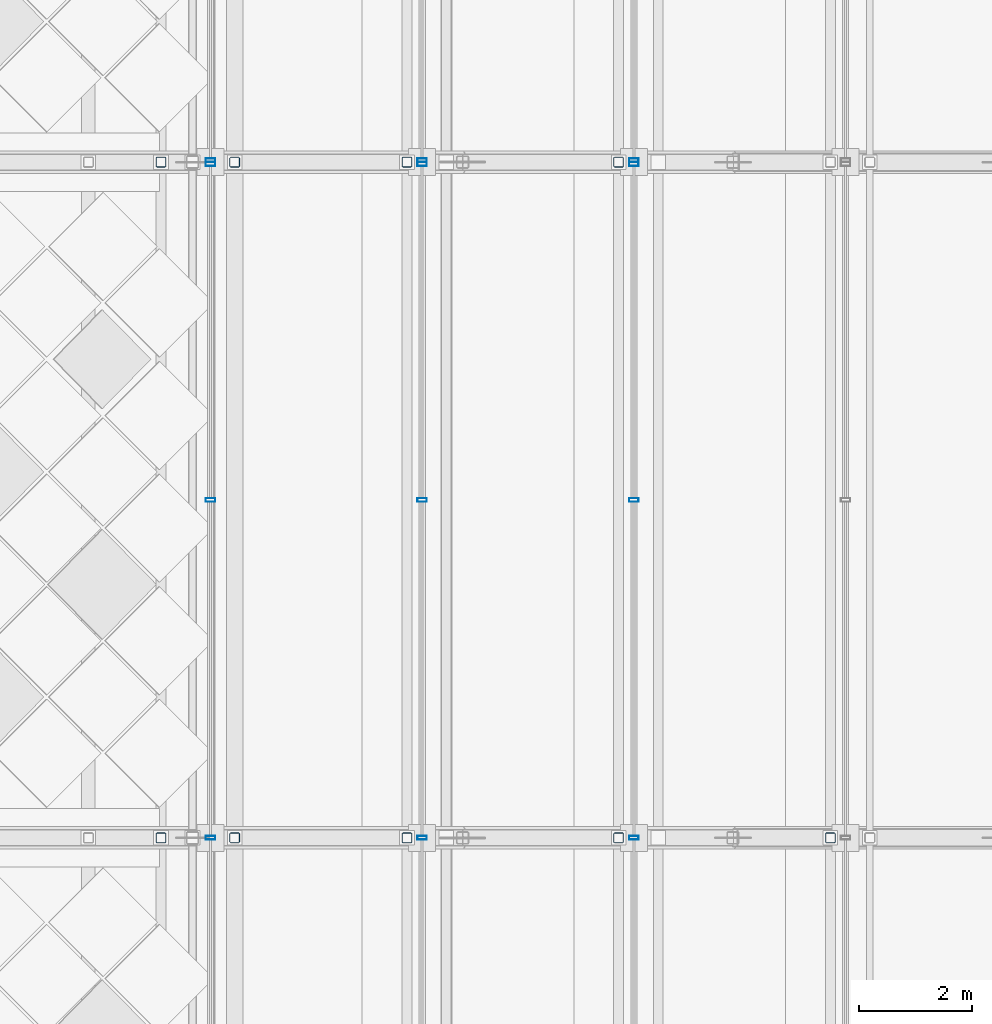
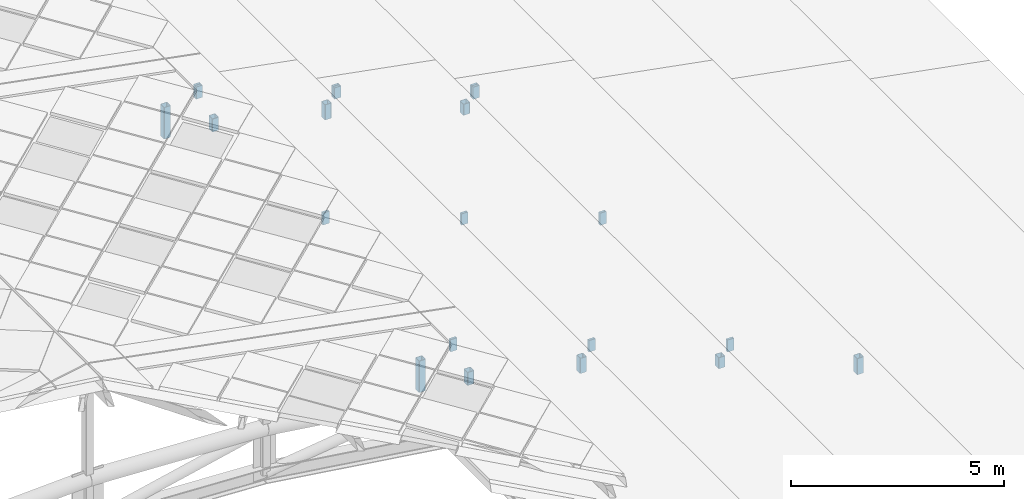
# One storey, part 63 of 117: 21 members, 6 elements without a shape of their own.
"""IFC4 building model written with IfcOpenShell, lengths in metres."""

from ifc_helpers import new_model, si_unit, direction, frame, origin, origin_2d, place, context, subcontext, project, spatial, hollow_rectangle, extrude, material, material_profile, profile_set, type_object, element, aggregate, save


model = new_model("IFC4")

# Units and contexts
model_context = context("Model", 3, precision=1e-05, world=origin(), true_north=direction((0.0, 1.0)))
body_context = subcontext(model_context, "Body", "Model", "MODEL_VIEW")
ifc_project = project(units=[si_unit("LENGTHUNIT", "METRE"), si_unit("AREAUNIT", "SQUARE_METRE"), si_unit("VOLUMEUNIT", "CUBIC_METRE"), si_unit("PLANEANGLEUNIT", "RADIAN"), si_unit("MASSUNIT", "GRAM", prefix="KILO")], contexts=[model_context])

# Site, building, storey
site_placement = place(None, origin())
site = spatial("IfcSite", under=ifc_project, at=site_placement, CompositionType="ELEMENT")
building_placement = place(site_placement, origin())
building = spatial("IfcBuilding", under=site, at=building_placement, Name="Merenkruunu Market Hall", CompositionType="ELEMENT")
storey_placement = place(building_placement, frame((0.0, 0.0, 22.800048828125)))
storey = spatial("IfcBuildingStorey", under=building, at=storey_placement, Name="RF", CompositionType="ELEMENT", Elevation=22.800048828125)

# Curtain wall, members
ifc_material_1 = material(Name="Powder-coated aluminium", Category="aluminium")
curtain_wall_type = type_object("IfcCurtainWallType", Name="Clerestory Curtain Band CL05", PredefinedType="USERDEFINED", material=ifc_material_1)
curtain_wall_1_placement = place(storey_placement, origin())
curtain_wall_1 = element("IfcCurtainWall", 1, at=curtain_wall_1_placement, inside=storey, type_object=curtain_wall_type, Name="CW-RF-CWM04-100", ObjectType="CLERESTORY_BAND", PredefinedType="USERDEFINED")
ifc_material_profile_1 = material_profile(ifc_material_1, hollow_rectangle(XDim=0.070068359375, YDim=0.169921875, WallThickness=0.0048828125, at=origin_2d()), Name="ALU 70x170x5")
ifc_profile_set_1 = profile_set([ifc_material_profile_1], Name="Powder-coated aluminium")
member_type_1 = type_object("IfcMemberType", Name="Curtain Wall Mullion CWM04", PredefinedType="MULLION", material=ifc_profile_set_1)
member_1_placement = place(storey_placement, frame((46.239990234375, 63.56494140625, -3.882080078125), z_axis=(0.0, 0.0, 1.0), x_axis=(0.0, -1.0, 0.0)))
member_1 = element("IfcMember", 2, at=member_1_placement, type_object=member_type_1, Name="CL05 mullion 1", PredefinedType="MULLION", context=body_context, shape_type="SweptSolid", body=[
    extrude(hollow_rectangle(XDim=0.070068359375, YDim=0.169921875, WallThickness=0.0048828125, at=origin_2d()), origin(), (0.0, 0.0, 1.0), 0.34814453125),
])
member_2_placement = place(storey_placement, frame((46.239990234375, 57.60009765625, -3.882080078125), z_axis=(0.0, 0.0, 1.0), x_axis=(0.0, -1.0, 0.0)))
member_2 = element("IfcMember", 3, at=member_2_placement, type_object=member_type_1, Name="CL05 mullion 2", PredefinedType="MULLION", context=body_context, shape_type="SweptSolid", body=[
    extrude(hollow_rectangle(XDim=0.070068359375, YDim=0.169921875, WallThickness=0.0048828125, at=origin_2d()), origin(), (0.0, 0.0, 1.0), 0.34814453125),
])
member_3_placement = place(storey_placement, frame((46.239990234375, 51.60009765625, -3.882080078125), z_axis=(0.0, 0.0, 1.0), x_axis=(0.0, -1.0, 0.0)))
member_3 = element("IfcMember", 4, at=member_3_placement, type_object=member_type_1, Name="CL05 mullion 3", PredefinedType="MULLION", context=body_context, shape_type="SweptSolid", body=[
    extrude(hollow_rectangle(XDim=0.070068359375, YDim=0.169921875, WallThickness=0.0048828125, at=origin_2d()), origin(), (0.0, 0.0, 1.0), 0.34814453125),
])
aggregate(curtain_wall_1, [member_1, member_2, member_3])

# Curtain wall, member
curtain_wall_2_placement = place(storey_placement, origin())
curtain_wall_2 = element("IfcCurtainWall", 5, at=curtain_wall_2_placement, inside=storey, type_object=curtain_wall_type, Name="CW-RF-CWM04-102", ObjectType="CLERESTORY_BAND", PredefinedType="USERDEFINED")
member_4_placement = place(storey_placement, frame((46.239990234375, 63.635009765625, -3.882080078125), z_axis=(0.0, 0.0, 1.0), x_axis=(0.0, -1.0, 0.0)))
member_4 = element("IfcMember", 6, at=member_4_placement, type_object=member_type_1, Name="CL05 mullion 5", PredefinedType="MULLION", context=body_context, shape_type="SweptSolid", body=[
    extrude(hollow_rectangle(XDim=0.070068359375, YDim=0.169921875, WallThickness=0.0048828125, at=origin_2d()), origin(), (0.0, 0.0, 1.0), 0.34814453125),
])
aggregate(curtain_wall_2, [member_4])

# Curtain wall, members
curtain_wall_3_placement = place(storey_placement, origin())
curtain_wall_3 = element("IfcCurtainWall", 7, at=curtain_wall_3_placement, inside=storey, type_object=curtain_wall_type, Name="CW-RF-CWM04-108", ObjectType="CLERESTORY_BAND", PredefinedType="USERDEFINED")
member_5_placement = place(storey_placement, frame((42.47998046875, 63.56494140625, -2.56201171875), z_axis=(0.0, 0.0, 1.0), x_axis=(0.0, -1.0, 0.0)))
member_5 = element("IfcMember", 8, at=member_5_placement, type_object=member_type_1, Name="CL05 mullion 1", PredefinedType="MULLION", context=body_context, shape_type="SweptSolid", body=[
    extrude(hollow_rectangle(XDim=0.070068359375, YDim=0.169921875, WallThickness=0.0048828125, at=origin_2d()), origin(), (0.0, 0.0, 1.0), 0.326904296875),
])
member_6_placement = place(storey_placement, frame((42.47998046875, 57.60009765625, -2.56201171875), z_axis=(0.0, 0.0, 1.0), x_axis=(0.0, -1.0, 0.0)))
member_6 = element("IfcMember", 9, at=member_6_placement, type_object=member_type_1, Name="CL05 mullion 2", PredefinedType="MULLION", context=body_context, shape_type="SweptSolid", body=[
    extrude(hollow_rectangle(XDim=0.070068359375, YDim=0.169921875, WallThickness=0.0048828125, at=origin_2d()), origin(), (0.0, 0.0, 1.0), 0.326904296875),
])
member_7_placement = place(storey_placement, frame((42.47998046875, 51.60009765625, -2.56201171875), z_axis=(0.0, 0.0, 1.0), x_axis=(0.0, -1.0, 0.0)))
member_7 = element("IfcMember", 10, at=member_7_placement, type_object=member_type_1, Name="CL05 mullion 3", PredefinedType="MULLION", context=body_context, shape_type="SweptSolid", body=[
    extrude(hollow_rectangle(XDim=0.070068359375, YDim=0.169921875, WallThickness=0.0048828125, at=origin_2d()), origin(), (0.0, 0.0, 1.0), 0.326904296875),
])
aggregate(curtain_wall_3, [member_5, member_6, member_7])

# Curtain wall, member
curtain_wall_4_placement = place(storey_placement, origin())
curtain_wall_4 = element("IfcCurtainWall", 11, at=curtain_wall_4_placement, inside=storey, type_object=curtain_wall_type, Name="CW-RF-CWM04-110", ObjectType="CLERESTORY_BAND", PredefinedType="USERDEFINED")
member_8_placement = place(storey_placement, frame((42.47998046875, 63.635009765625, -2.56201171875), z_axis=(0.0, 0.0, 1.0), x_axis=(0.0, -1.0, 0.0)))
member_8 = element("IfcMember", 12, at=member_8_placement, type_object=member_type_1, Name="CL05 mullion 5", PredefinedType="MULLION", context=body_context, shape_type="SweptSolid", body=[
    extrude(hollow_rectangle(XDim=0.070068359375, YDim=0.169921875, WallThickness=0.0048828125, at=origin_2d()), origin(), (0.0, 0.0, 1.0), 0.326904296875),
])
aggregate(curtain_wall_4, [member_8])

# Curtain wall, members
curtain_wall_5_placement = place(storey_placement, origin())
curtain_wall_5 = element("IfcCurtainWall", 13, at=curtain_wall_5_placement, inside=storey, type_object=curtain_wall_type, Name="CW-RF-CWM04-116", ObjectType="CLERESTORY_BAND", PredefinedType="USERDEFINED")
member_9_placement = place(storey_placement, frame((38.719970703125, 63.56494140625, -1.241943359375), z_axis=(0.0, 0.0, 1.0), x_axis=(0.0, -1.0, 0.0)))
member_9 = element("IfcMember", 14, at=member_9_placement, type_object=member_type_1, Name="CL05 mullion 1", PredefinedType="MULLION", context=body_context, shape_type="SweptSolid", body=[
    extrude(hollow_rectangle(XDim=0.070068359375, YDim=0.169921875, WallThickness=0.0048828125, at=origin_2d()), origin(), (0.0, 0.0, 1.0), 0.347900390625),
])
member_10_placement = place(storey_placement, frame((38.719970703125, 57.60009765625, -1.241943359375), z_axis=(0.0, 0.0, 1.0), x_axis=(0.0, -1.0, 0.0)))
member_10 = element("IfcMember", 15, at=member_10_placement, type_object=member_type_1, Name="CL05 mullion 2", PredefinedType="MULLION", context=body_context, shape_type="SweptSolid", body=[
    extrude(hollow_rectangle(XDim=0.070068359375, YDim=0.169921875, WallThickness=0.0048828125, at=origin_2d()), origin(), (0.0, 0.0, 1.0), 0.347900390625),
])
member_11_placement = place(storey_placement, frame((38.719970703125, 51.60009765625, -1.241943359375), z_axis=(0.0, 0.0, 1.0), x_axis=(0.0, -1.0, 0.0)))
member_11 = element("IfcMember", 16, at=member_11_placement, type_object=member_type_1, Name="CL05 mullion 3", PredefinedType="MULLION", context=body_context, shape_type="SweptSolid", body=[
    extrude(hollow_rectangle(XDim=0.070068359375, YDim=0.169921875, WallThickness=0.0048828125, at=origin_2d()), origin(), (0.0, 0.0, 1.0), 0.347900390625),
])
aggregate(curtain_wall_5, [member_9, member_10, member_11])

# Curtain wall, member
curtain_wall_6_placement = place(storey_placement, origin())
curtain_wall_6 = element("IfcCurtainWall", 17, at=curtain_wall_6_placement, inside=storey, type_object=curtain_wall_type, Name="CW-RF-CWM04-118", ObjectType="CLERESTORY_BAND", PredefinedType="USERDEFINED")
member_12_placement = place(storey_placement, frame((38.719970703125, 63.635009765625, -1.241943359375), z_axis=(0.0, 0.0, 1.0), x_axis=(0.0, -1.0, 0.0)))
member_12 = element("IfcMember", 18, at=member_12_placement, type_object=member_type_1, Name="CL05 mullion 5", PredefinedType="MULLION", context=body_context, shape_type="SweptSolid", body=[
    extrude(hollow_rectangle(XDim=0.070068359375, YDim=0.169921875, WallThickness=0.0048828125, at=origin_2d()), origin(), (0.0, 0.0, 1.0), 0.347900390625),
])
aggregate(curtain_wall_6, [member_12])

# Members
ifc_material_2 = material(Name="Steel S355J2", Category="steel")
ifc_material_profile_2 = material_profile(ifc_material_2, hollow_rectangle(XDim=0.179931640625, YDim=0.179931640625, WallThickness=0.010009765625, InnerFilletRadius=0.010009765625, OuterFilletRadius=0.02001953125, at=origin_2d()), Name="SHS 180x180x10")
ifc_profile_set_2 = profile_set([ifc_material_profile_2], Name="Steel S355J2")
member_type_2 = type_object("IfcMemberType", Name="Diagonal Sway Brace BR05", PredefinedType="BRACE", material=ifc_profile_set_2)
member_13_placement = place(storey_placement, frame((49.72998046875, 51.60009765625, -5.720947265625), z_axis=(0.0, 0.0, 1.0), x_axis=(1.0, 0.0, 0.0)))
element("IfcMember", 19, at=member_13_placement, inside=storey, type_object=member_type_2, Name="TRUSS-AT-4-RISER-E3-1", PredefinedType="BRACE", context=body_context, shape_type="SweptSolid", body=[
    extrude(hollow_rectangle(XDim=0.179931640625, YDim=0.179931640625, WallThickness=0.010009765625, InnerFilletRadius=0.010009765625, OuterFilletRadius=0.02001953125, at=origin_2d()), origin(), (0.0, 0.0, 1.0), 0.462646484375),
])
member_14_placement = place(storey_placement, frame((45.969970703125, 51.60009765625, -4.23583984375), z_axis=(0.0, 0.0, 1.0), x_axis=(1.0, 0.0, 0.0)))
element("IfcMember", 20, at=member_14_placement, inside=storey, type_object=member_type_2, Name="TRUSS-AT-4-RISER-E4-1", PredefinedType="BRACE", context=body_context, shape_type="SweptSolid", body=[
    extrude(hollow_rectangle(XDim=0.179931640625, YDim=0.179931640625, WallThickness=0.010009765625, InnerFilletRadius=0.010009765625, OuterFilletRadius=0.02001953125, at=origin_2d()), origin(), (0.0, 0.0, 1.0), 0.31787109375),
])
member_15_placement = place(storey_placement, frame((42.2099609375, 51.60009765625, -3.053955078125), z_axis=(0.0, 0.0, 1.0), x_axis=(1.0, 0.0, 0.0)))
element("IfcMember", 21, at=member_15_placement, inside=storey, type_object=member_type_2, Name="TRUSS-AT-4-RISER-E5-1", PredefinedType="BRACE", context=body_context, shape_type="SweptSolid", body=[
    extrude(hollow_rectangle(XDim=0.179931640625, YDim=0.179931640625, WallThickness=0.010009765625, InnerFilletRadius=0.010009765625, OuterFilletRadius=0.02001953125, at=origin_2d()), origin(), (0.0, 0.0, 1.0), 0.435546875),
])
member_16_placement = place(storey_placement, frame((39.14990234375, 51.60009765625, -2.326904296875), z_axis=(0.0, 0.0, 1.0), x_axis=(1.0, 0.0, 0.0)))
element("IfcMember", 22, at=member_16_placement, inside=storey, type_object=member_type_2, Name="TRUSS-AT-4-RISER-E5-2", PredefinedType="BRACE", context=body_context, shape_type="SweptSolid", body=[
    extrude(hollow_rectangle(XDim=0.179931640625, YDim=0.179931640625, WallThickness=0.010009765625, InnerFilletRadius=0.010009765625, OuterFilletRadius=0.02001953125, at=origin_2d()), origin(), (0.0, 0.0, 1.0), 0.37451171875),
])
member_17_placement = place(storey_placement, frame((37.840087890625, 51.60009765625, -2.07080078125), z_axis=(0.0, 0.0, 1.0), x_axis=(1.0, 0.0, 0.0)))
element("IfcMember", 23, at=member_17_placement, inside=storey, type_object=member_type_2, Name="TRUSS-AT-4-RISER-E6-1", PredefinedType="BRACE", context=body_context, shape_type="SweptSolid", body=[
    extrude(hollow_rectangle(XDim=0.179931640625, YDim=0.179931640625, WallThickness=0.010009765625, InnerFilletRadius=0.010009765625, OuterFilletRadius=0.02001953125, at=origin_2d()), origin(), (0.0, 0.0, 1.0), 0.90576171875),
])
member_18_placement = place(storey_placement, frame((45.969970703125, 63.60009765625, -4.23583984375), z_axis=(0.0, 0.0, 1.0), x_axis=(1.0, 0.0, 0.0)))
element("IfcMember", 24, at=member_18_placement, inside=storey, type_object=member_type_2, Name="TRUSS-AT-5-RISER-E4-1", PredefinedType="BRACE", context=body_context, shape_type="SweptSolid", body=[
    extrude(hollow_rectangle(XDim=0.179931640625, YDim=0.179931640625, WallThickness=0.010009765625, InnerFilletRadius=0.010009765625, OuterFilletRadius=0.02001953125, at=origin_2d()), origin(), (0.0, 0.0, 1.0), 0.31787109375),
])
member_19_placement = place(storey_placement, frame((42.2099609375, 63.60009765625, -3.053955078125), z_axis=(0.0, 0.0, 1.0), x_axis=(1.0, 0.0, 0.0)))
element("IfcMember", 25, at=member_19_placement, inside=storey, type_object=member_type_2, Name="TRUSS-AT-5-RISER-E5-1", PredefinedType="BRACE", context=body_context, shape_type="SweptSolid", body=[
    extrude(hollow_rectangle(XDim=0.179931640625, YDim=0.179931640625, WallThickness=0.010009765625, InnerFilletRadius=0.010009765625, OuterFilletRadius=0.02001953125, at=origin_2d()), origin(), (0.0, 0.0, 1.0), 0.435546875),
])
member_20_placement = place(storey_placement, frame((39.14990234375, 63.60009765625, -2.326904296875), z_axis=(0.0, 0.0, 1.0), x_axis=(1.0, 0.0, 0.0)))
element("IfcMember", 26, at=member_20_placement, inside=storey, type_object=member_type_2, Name="TRUSS-AT-5-RISER-E5-2", PredefinedType="BRACE", context=body_context, shape_type="SweptSolid", body=[
    extrude(hollow_rectangle(XDim=0.179931640625, YDim=0.179931640625, WallThickness=0.010009765625, InnerFilletRadius=0.010009765625, OuterFilletRadius=0.02001953125, at=origin_2d()), origin(), (0.0, 0.0, 1.0), 0.37451171875),
])
member_21_placement = place(storey_placement, frame((37.840087890625, 63.60009765625, -2.07080078125), z_axis=(0.0, 0.0, 1.0), x_axis=(1.0, 0.0, 0.0)))
element("IfcMember", 27, at=member_21_placement, inside=storey, type_object=member_type_2, Name="TRUSS-AT-5-RISER-E6-1", PredefinedType="BRACE", context=body_context, shape_type="SweptSolid", body=[
    extrude(hollow_rectangle(XDim=0.179931640625, YDim=0.179931640625, WallThickness=0.010009765625, InnerFilletRadius=0.010009765625, OuterFilletRadius=0.02001953125, at=origin_2d()), origin(), (0.0, 0.0, 1.0), 0.90576171875),
])

save(model, "model.ifc")
